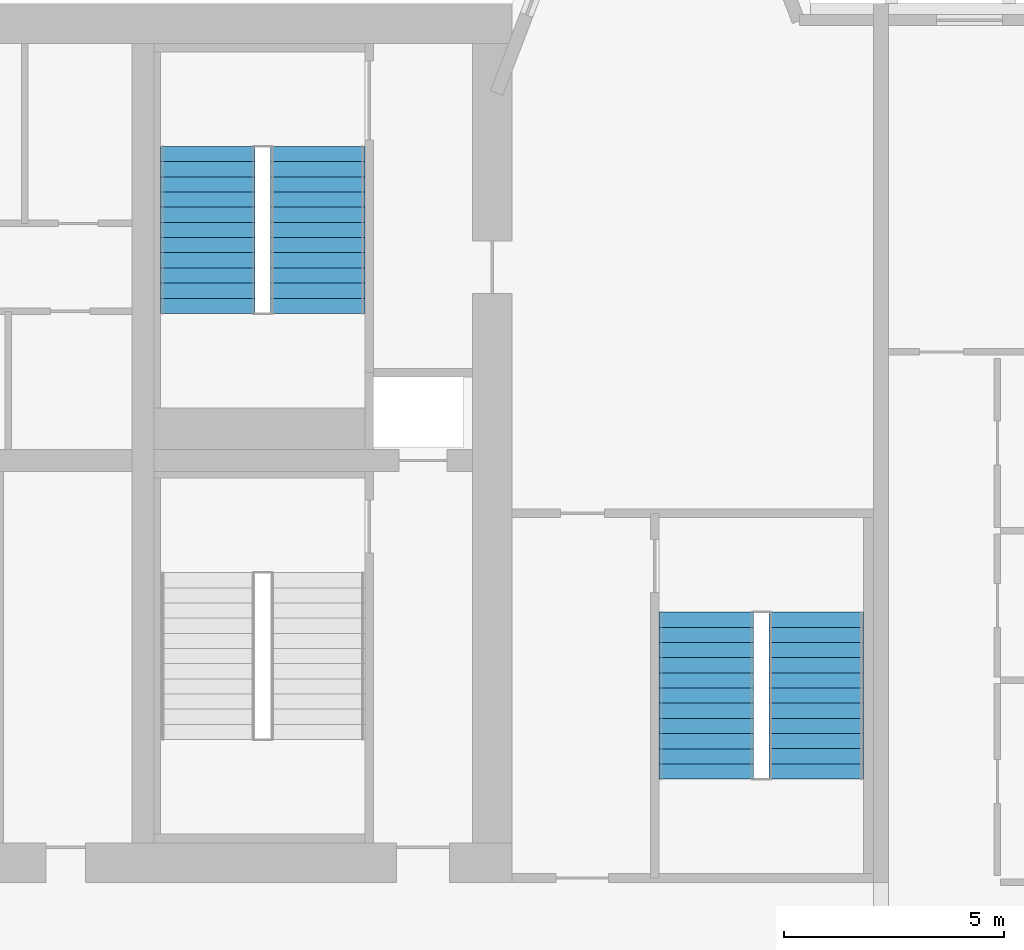
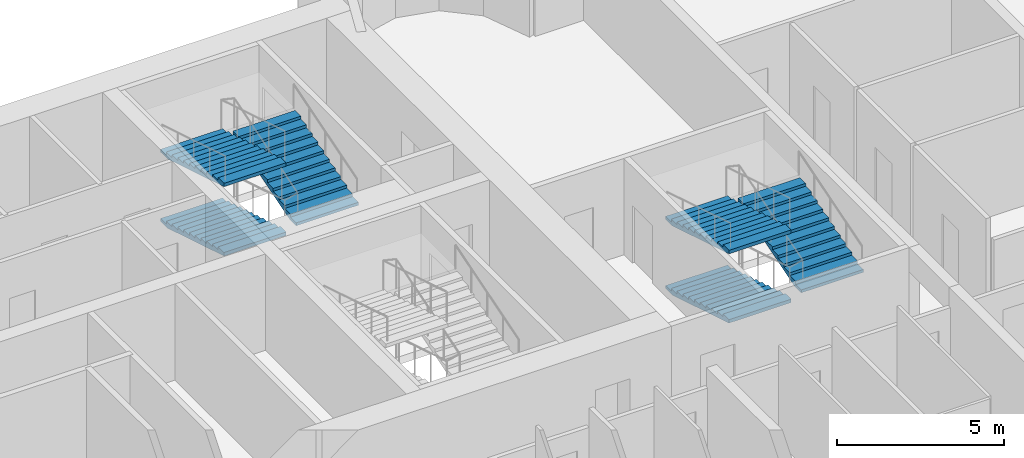
# One storey, part 12 of 15: 6 stair flights, 2 elements without a shape of their own.
"""IFC4 building model written with IfcOpenShell, lengths in metres."""

from ifc_helpers import new_model, si_unit, direction, frame, origin, place, context, subcontext, project, spatial, polyline, outline, extrude, source, transform, mapped, material, type_object, element, aggregate, save


model = new_model("IFC4")

# Units and contexts
model_context = context("Model", 3, precision=1e-05, world=origin(), true_north=direction((0.0, 1.0)))
body_context = subcontext(model_context, "Body", "Model", "MODEL_VIEW")
ifc_project = project(units=[si_unit("LENGTHUNIT", "METRE"), si_unit("AREAUNIT", "SQUARE_METRE"), si_unit("VOLUMEUNIT", "CUBIC_METRE"), si_unit("PLANEANGLEUNIT", "RADIAN"), si_unit("MASSUNIT", "GRAM", prefix="KILO")], contexts=[model_context])

# Site, building, storey
site_placement = place(None, origin())
site = spatial("IfcSite", under=ifc_project, at=site_placement, CompositionType="ELEMENT")
building_placement = place(site_placement, origin())
building = spatial("IfcBuilding", under=site, at=building_placement, Name="Vanashikhar Sky Hotel", CompositionType="ELEMENT")
storey_placement = place(building_placement, frame((0.0, 0.0, 95.199951171875)))
storey = spatial("IfcBuildingStorey", under=building, at=storey_placement, Name="L22", CompositionType="ELEMENT", Elevation=95.199951171875)

# Stair, stair flights
ifc_material = material(Name="Concrete M40", Category="concrete")
stair_type = type_object("IfcStairType", Name="Exit stair 2150", PredefinedType="DOUBLE_RETURN_STAIR", material=ifc_material)
stair_1_placement = place(storey_placement, origin())
stair_1 = element("IfcStair", 1, at=stair_1_placement, inside=storey, type_object=stair_type, Name="L22 Exit stair 4", PredefinedType="DOUBLE_RETURN_STAIR")
stair_flight_type = type_object("IfcStairFlightType", Name="Stair flight 2150", PredefinedType="STRAIGHT", material=ifc_material)
shared_shape = source(origin(), body_context, "Body", "SweptSolid", [
    extrude(outline(polyline([(0.0, 0.0), (0.0, 0.10546875), (0.345458984375, 0.10546875), (0.345458984375, 0.211181640625), (0.69091796875, 0.211181640625), (0.69091796875, 0.316650390625), (1.036376953125, 0.316650390625), (1.036376953125, 0.422119140625), (1.3818359375, 0.422119140625), (1.3818359375, 0.52783203125), (1.727294921875, 0.52783203125), (1.727294921875, 0.63330078125), (2.07275390625, 0.63330078125), (2.07275390625, 0.73876953125), (2.418212890625, 0.73876953125), (2.418212890625, 0.844482421875), (2.763671875, 0.844482421875), (2.763671875, 0.949951171875), (3.109130859375, 0.949951171875), (3.109130859375, 1.0556640625), (3.45458984375, 1.0556640625), (3.45458984375, 1.1611328125), (3.800048828125, 1.1611328125), (3.800048828125, 1.2666015625), (3.800048828125, 1.035400390625), (0.4111328125, 0.0), (0.0, 0.0)])), frame((0.0, 1.074951171875, 0.0), z_axis=(0.0, -1.0, 0.0), x_axis=(1.0, 0.0, 0.0)), (0.0, 0.0, 1.0), 2.14990234375),
])
stair_flight_1_placement = place(storey_placement, frame((80.02490234375, 28.14990234375, 0.0), z_axis=(0.0, 0.0, 1.0), x_axis=(0.0, -1.0, 0.0)))
stair_flight_1 = element("IfcStairFlight", 2, at=stair_flight_1_placement, type_object=stair_flight_type, Name="ST-E flight 1", NumberOfRisers=12, NumberOfTreads=11, PredefinedType="STRAIGHT", RiserHeight=0.105555556, TreadLength=0.345454545, context=body_context, shape_type="MappedRepresentation", body=[
    mapped(shared_shape, transform((0.0, 0.0, 0.0), scale=1.0)),
])
stair_flight_2_placement = place(storey_placement, frame((82.52490234375, 24.35009765625, 1.2666015625), z_axis=(0.0, 0.0, 1.0), x_axis=(0.0, 1.0, 0.0)))
stair_flight_2 = element("IfcStairFlight", 3, at=stair_flight_2_placement, type_object=stair_flight_type, Name="ST-E flight 2", NumberOfRisers=12, NumberOfTreads=11, PredefinedType="STRAIGHT", RiserHeight=0.105555556, TreadLength=0.345454545, context=body_context, shape_type="MappedRepresentation", body=[
    mapped(shared_shape, transform((0.0, 0.0, 0.0), scale=1.0)),
])
stair_flight_3_placement = place(storey_placement, frame((80.02490234375, 28.14990234375, 2.533447265625), z_axis=(0.0, 0.0, 1.0), x_axis=(0.0, -1.0, 0.0)))
stair_flight_3 = element("IfcStairFlight", 4, at=stair_flight_3_placement, type_object=stair_flight_type, Name="ST-E flight 3", NumberOfRisers=12, NumberOfTreads=11, PredefinedType="STRAIGHT", RiserHeight=0.105555556, TreadLength=0.345454545, context=body_context, shape_type="MappedRepresentation", body=[
    mapped(shared_shape, transform((0.0, 0.0, 0.0), scale=1.0)),
])
aggregate(stair_1, [stair_flight_1, stair_flight_2, stair_flight_3])

stair_2_placement = place(storey_placement, origin())
stair_2 = element("IfcStair", 5, at=stair_2_placement, inside=storey, type_object=stair_type, Name="L22 Exit stair 6", PredefinedType="DOUBLE_RETURN_STAIR")
stair_flight_4_placement = place(storey_placement, frame((68.675048828125, 38.75, 0.0), z_axis=(0.0, 0.0, 1.0), x_axis=(0.0, -1.0, 0.0)))
stair_flight_4 = element("IfcStairFlight", 6, at=stair_flight_4_placement, type_object=stair_flight_type, Name="ST-C4 flight 1", NumberOfRisers=12, NumberOfTreads=11, PredefinedType="STRAIGHT", RiserHeight=0.105555556, TreadLength=0.345454545, context=body_context, shape_type="MappedRepresentation", body=[
    mapped(shared_shape, transform((0.0, 0.0, 0.0), scale=1.0)),
])
stair_flight_5_placement = place(storey_placement, frame((71.175048828125, 34.949951171875, 1.2666015625), z_axis=(0.0, 0.0, 1.0), x_axis=(0.0, 1.0, 0.0)))
stair_flight_5 = element("IfcStairFlight", 7, at=stair_flight_5_placement, type_object=stair_flight_type, Name="ST-C4 flight 2", NumberOfRisers=12, NumberOfTreads=11, PredefinedType="STRAIGHT", RiserHeight=0.105555556, TreadLength=0.345454545, context=body_context, shape_type="MappedRepresentation", body=[
    mapped(shared_shape, transform((0.0, 0.0, 0.0), scale=1.0)),
])
stair_flight_6_placement = place(storey_placement, frame((68.675048828125, 38.75, 2.533447265625), z_axis=(0.0, 0.0, 1.0), x_axis=(0.0, -1.0, 0.0)))
stair_flight_6 = element("IfcStairFlight", 8, at=stair_flight_6_placement, type_object=stair_flight_type, Name="ST-C4 flight 3", NumberOfRisers=12, NumberOfTreads=11, PredefinedType="STRAIGHT", RiserHeight=0.105555556, TreadLength=0.345454545, context=body_context, shape_type="MappedRepresentation", body=[
    mapped(shared_shape, transform((0.0, 0.0, 0.0), scale=1.0)),
])
aggregate(stair_2, [stair_flight_4, stair_flight_5, stair_flight_6])

save(model, "model.ifc")
